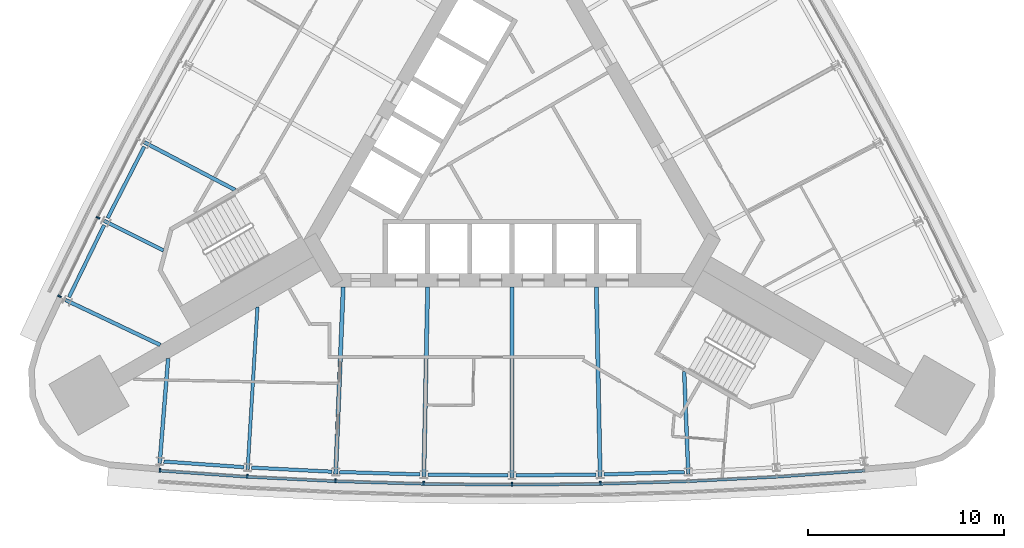
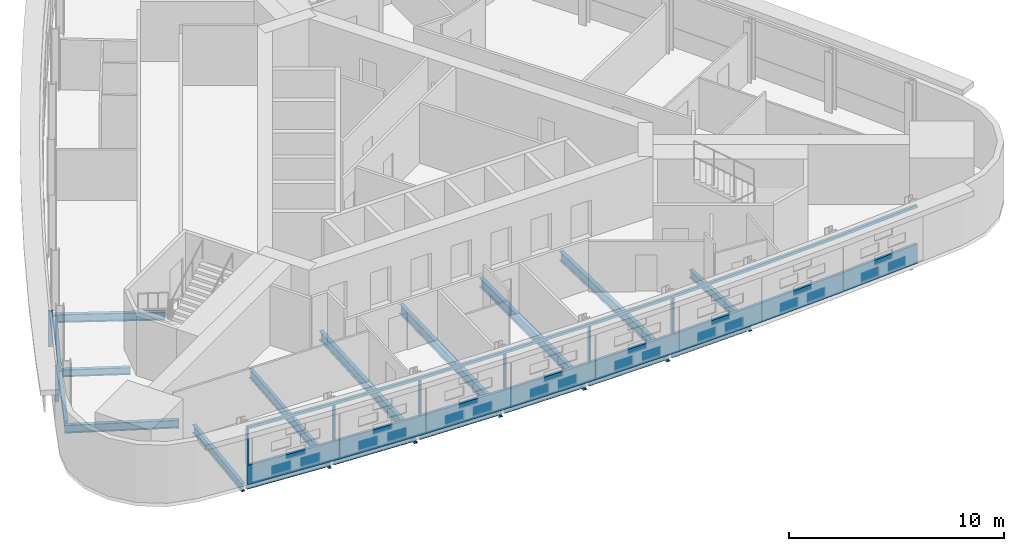
# One storey, part 2 of 11: 18 beams, 10 members, 2 elements without a shape of their own.
"""IFC4 building model written with IfcOpenShell, lengths in metres."""

from ifc_helpers import new_model, si_unit, direction, frame, origin, origin_2d, place, context, subcontext, project, spatial, polyline, rectangle, i_section, outline, extrude, material, material_profile, profile_set, type_object, element, aggregate, save


model = new_model("IFC4")

# Units and contexts
model_context = context("Model", 3, precision=1e-05, world=origin(), true_north=direction((0.0, 1.0)))
body_context = subcontext(model_context, "Body", "Model", "MODEL_VIEW")
ifc_project = project(units=[si_unit("LENGTHUNIT", "METRE"), si_unit("AREAUNIT", "SQUARE_METRE"), si_unit("VOLUMEUNIT", "CUBIC_METRE"), si_unit("PLANEANGLEUNIT", "RADIAN"), si_unit("MASSUNIT", "GRAM", prefix="KILO")], contexts=[model_context])

# Site, building, storey
site_placement = place(None, origin())
site = spatial("IfcSite", under=ifc_project, at=site_placement, CompositionType="ELEMENT")
building_placement = place(site_placement, origin())
building = spatial("IfcBuilding", under=site, at=building_placement, Name="Noor Cloister Tower", CompositionType="ELEMENT")
storey_placement = place(building_placement, frame((0.0, 0.0, 109.5)))
storey = spatial("IfcBuildingStorey", under=building, at=storey_placement, Name="L28", CompositionType="ELEMENT", Elevation=109.5)

# Curtain wall, member
ifc_material_1 = material(Name="Aluminium 6063-T6 anodised", Category="aluminium")
curtain_wall_type = type_object("IfcCurtainWallType", Name="Ribbon curtain wall, lower tower CW1", PredefinedType="NOTDEFINED", material=ifc_material_1)
curtain_wall_1_placement = place(storey_placement, origin())
curtain_wall_1 = element("IfcCurtainWall", 1, at=curtain_wall_1_placement, inside=storey, type_object=curtain_wall_type, Name="CW1 L28 S run 2", PredefinedType="NOTDEFINED")
ifc_material_2 = material(Name="Aluminium 6063-T6 anodised", Category="aluminium")
member_type_1 = type_object("IfcMemberType", Name="Head transom CW1 150", PredefinedType="USERDEFINED", material=ifc_material_2)
member_1_placement = place(storey_placement, frame((0.0, 0.0, 3.14990234375)))
member_1 = element("IfcMember", 2, at=member_1_placement, type_object=member_type_1, Name="CW1 head transom", ObjectType="TRANSOM", PredefinedType="USERDEFINED", context=body_context, shape_type="SweptSolid", body=[
    extrude(outline(polyline([(-17.980712890625, -16.35205078125), (-13.491943359375, -16.66796875), (-8.99755859375, -16.893798828125), (-4.499755859375, -17.029296875), (0.0, -17.074462890625), (4.499755859375, -17.029296875), (8.99755859375, -16.893798828125), (13.491943359375, -16.66796875), (17.980712890625, -16.35205078125), (17.970703125, -16.21240234375), (13.4833984375, -16.5283203125), (8.991943359375, -16.75390625), (4.496826171875, -16.889404296875), (0.0, -16.9345703125), (-4.496826171875, -16.889404296875), (-8.991943359375, -16.75390625), (-13.4833984375, -16.5283203125), (-17.970703125, -16.21240234375), (-17.980712890625, -16.35205078125)])), origin(), (0.0, 0.0, 1.0), 0.150146484375),
])

# Curtain wall, members
curtain_wall_2_placement = place(storey_placement, origin())
curtain_wall_2 = element("IfcCurtainWall", 3, at=curtain_wall_2_placement, inside=storey, type_object=curtain_wall_type, Name="CW1 L28 NW run 1", PredefinedType="NOTDEFINED")
ifc_material_3 = material(Name="Aluminium 6063-T6 anodised", Category="aluminium")
ifc_material_profile_1 = material_profile(ifc_material_3, rectangle(XDim=0.199951171875, YDim=0.080078125, at=origin_2d()), Name="200 x 80 mullion")
ifc_profile_set_1 = profile_set([ifc_material_profile_1], Name="Aluminium 6063-T6 anodised")
member_type_2 = type_object("IfcMemberType", Name="Mullion CW1 80 x 200", PredefinedType="MULLION", material=ifc_profile_set_1)
member_2_placement = place(storey_placement, frame((-21.09130859375, -3.39501953125, 1.10009765625), z_axis=(0.0, 0.0, 1.0), x_axis=(0.894554664218, -0.446958558176, 0.0)))
member_2 = element("IfcMember", 4, at=member_2_placement, type_object=member_type_2, Name="CW1 mullion 8", PredefinedType="MULLION", context=body_context, shape_type="SweptSolid", body=[
    extrude(rectangle(XDim=0.199951171875, YDim=0.080078125, at=origin_2d()), origin(), (0.0, 0.0, 1.0), 2.0498046875),
])
member_3_placement = place(storey_placement, frame((-23.044189453125, -7.403564453125, 1.10009765625), z_axis=(0.0, 0.0, 1.0), x_axis=(0.89899669454, -0.437955412348, 0.0)))
member_3 = element("IfcMember", 5, at=member_3_placement, type_object=member_type_2, Name="CW1 mullion 9", PredefinedType="MULLION", context=body_context, shape_type="SweptSolid", body=[
    extrude(rectangle(XDim=0.199951171875, YDim=0.080078125, at=origin_2d()), origin(), (0.0, 0.0, 1.0), 2.0498046875),
])
aggregate(curtain_wall_2, [member_2, member_3])

# Member
member_4_placement = place(storey_placement, frame((-17.933837890625, -16.255126953125, 1.10009765625), z_axis=(0.0, 0.0, 1.0), x_axis=(0.070217834452, 0.997531681565, 0.0)))
member_4 = element("IfcMember", 6, at=member_4_placement, type_object=member_type_2, Name="CW1 mullion 1", PredefinedType="MULLION", context=body_context, shape_type="SweptSolid", body=[
    extrude(rectangle(XDim=0.199951171875, YDim=0.080078125, at=origin_2d()), origin(), (0.0, 0.0, 1.0), 2.0498046875),
])

member_5_placement = place(storey_placement, frame((-13.48583984375, -16.568115234375, 1.10009765625), z_axis=(0.0, 0.0, 1.0), x_axis=(0.06019986629, 0.998186343374, 0.0)))
member_5 = element("IfcMember", 7, at=member_5_placement, type_object=member_type_2, Name="CW1 mullion 2", PredefinedType="MULLION", context=body_context, shape_type="SweptSolid", body=[
    extrude(rectangle(XDim=0.199951171875, YDim=0.080078125, at=origin_2d()), origin(), (0.0, 0.0, 1.0), 2.0498046875),
])

member_6_placement = place(storey_placement, frame((-8.99365234375, -16.7939453125, 1.10009765625), z_axis=(0.0, 0.0, 1.0), x_axis=(0.04014673795, 0.999193794733, 0.0)))
member_6 = element("IfcMember", 8, at=member_6_placement, type_object=member_type_2, Name="CW1 mullion 3", PredefinedType="MULLION", context=body_context, shape_type="SweptSolid", body=[
    extrude(rectangle(XDim=0.199951171875, YDim=0.080078125, at=origin_2d()), origin(), (0.0, 0.0, 1.0), 2.0498046875),
])

member_7_placement = place(storey_placement, frame((-4.497802734375, -16.929443359375, 1.10009765625), z_axis=(0.0, 0.0, 1.0), x_axis=(0.020077407288, 0.999798428543, 0.0)))
member_7 = element("IfcMember", 9, at=member_7_placement, type_object=member_type_2, Name="CW1 mullion 4", PredefinedType="MULLION", context=body_context, shape_type="SweptSolid", body=[
    extrude(rectangle(XDim=0.199951171875, YDim=0.080078125, at=origin_2d()), origin(), (0.0, 0.0, 1.0), 2.0498046875),
])

member_8_placement = place(storey_placement, frame((0.0, -16.974609375, 1.10009765625), z_axis=(0.0, 0.0, 1.0), x_axis=(0.0, 1.0, 0.0)))
member_8 = element("IfcMember", 10, at=member_8_placement, type_object=member_type_2, Name="CW1 mullion 5", PredefinedType="MULLION", context=body_context, shape_type="SweptSolid", body=[
    extrude(rectangle(XDim=0.199951171875, YDim=0.080078125, at=origin_2d()), origin(), (0.0, 0.0, 1.0), 2.0498046875),
])

member_9_placement = place(storey_placement, frame((4.497802734375, -16.929443359375, 1.10009765625), z_axis=(0.0, 0.0, 1.0), x_axis=(-0.020077407288, 0.999798428543, 0.0)))
member_9 = element("IfcMember", 11, at=member_9_placement, type_object=member_type_2, Name="CW1 mullion 6", PredefinedType="MULLION", context=body_context, shape_type="SweptSolid", body=[
    extrude(rectangle(XDim=0.199951171875, YDim=0.080078125, at=origin_2d()), origin(), (0.0, 0.0, 1.0), 2.0498046875),
])

# Beams
ifc_material_4 = material(Name="Steel ASTM A992 Gr 50", Category="steel")
ifc_material_profile_2 = material_profile(ifc_material_4, i_section(OverallWidth=0.177978515625, OverallDepth=0.406005859375, WebThickness=0.0078125, FlangeThickness=0.0126953125, FilletRadius=0.01025390625, at=origin_2d()), Name="W410x60")
ifc_profile_set_2 = profile_set([ifc_material_profile_2], Name="Steel ASTM A992 Gr 50")
beam_type_1 = type_object("IfcBeamType", Name="Radial beam W410x60", PredefinedType="BEAM", material=ifc_profile_set_2)
beam_1_placement = place(storey_placement, frame((-20.77880859375, -3.55126953125, -0.403076171875), z_axis=(0.894556914204, -0.446954054965, 0.0), x_axis=(0.446954054965, 0.894556914204, 0.0)))
element("IfcBeam", 12, at=beam_1_placement, inside=storey, type_object=beam_type_1, Name="Radial beam NW 08 L28", PredefinedType="BEAM", context=body_context, shape_type="SweptSolid", body=[
    extrude(i_section(OverallWidth=0.177978515625, OverallDepth=0.406005859375, WebThickness=0.0078125, FlangeThickness=0.0126953125, FilletRadius=0.01025390625, at=origin_2d()), origin(), (0.0, 0.0, 1.0), 3.38671875),
])
ifc_material_5 = material(Name="Steel ASTM A992 Gr 50", Category="steel")
ifc_material_profile_3 = material_profile(ifc_material_5, i_section(OverallWidth=0.19091796875, OverallDepth=0.45703125, WebThickness=0.009033203125, FlangeThickness=0.014404296875, FilletRadius=0.01025390625, at=origin_2d()), Name="W460x74")
ifc_profile_set_3 = profile_set([ifc_material_profile_3], Name="Steel ASTM A992 Gr 50")
beam_type_2 = type_object("IfcBeamType", Name="Radial beam W460x74", PredefinedType="BEAM", material=ifc_profile_set_3)
beam_2_placement = place(storey_placement, frame((-18.731201171875, 0.44580078125, -0.428466796875), z_axis=(0.885401268504, -0.464827488141, 0.0), x_axis=(0.464827488141, 0.885401268504, 0.0)))
element("IfcBeam", 13, at=beam_2_placement, inside=storey, type_object=beam_type_2, Name="Radial beam NW 07 L28", PredefinedType="BEAM", context=body_context, shape_type="SweptSolid", body=[
    extrude(i_section(OverallWidth=0.19091796875, OverallDepth=0.45703125, WebThickness=0.009033203125, FlangeThickness=0.014404296875, FilletRadius=0.01025390625, at=origin_2d()), origin(), (0.0, 0.0, 1.0), 5.224365234375),
])
for number, where, z_axis, x_axis, name in (
    (14, (-22.74560546875, -7.58837890625, -0.428466796875), (0.903337661444, -0.428930145148, 0.0), (0.428930145148, 0.903337661444, 0.0), "Radial beam NW 09 L28"),
    (15, (-17.944580078125, -15.904052734375, -0.428466796875), (0.080226140239, 0.996776688342, 0.0), (-0.996776688342, 0.080226140239, 0.0), "Radial beam S 01 L28"),
):
    element("IfcBeam", number, at=place(storey_placement, frame(where, z_axis=z_axis, x_axis=x_axis)), inside=storey, type_object=beam_type_2, Name=name, PredefinedType="BEAM", context=body_context, shape_type="SweptSolid", body=[
        extrude(i_section(OverallWidth=0.19091796875, OverallDepth=0.45703125, WebThickness=0.009033203125, FlangeThickness=0.014404296875, FilletRadius=0.01025390625, at=origin_2d()), origin(), (0.0, 0.0, 1.0), 5.346923828125),
    ])
beam_3_placement = place(storey_placement, frame((8.9794921875, -16.444580078125, -0.428466796875), z_axis=(-0.040141597936, 0.999194001241, 0.0), x_axis=(-0.999194001241, -0.040141597936, 0.0)))
element("IfcBeam", 16, at=beam_3_placement, inside=storey, type_object=beam_type_2, Name="Radial beam S 07 L28", PredefinedType="BEAM", context=body_context, shape_type="SweptSolid", body=[
    extrude(i_section(OverallWidth=0.19091796875, OverallDepth=0.45703125, WebThickness=0.009033203125, FlangeThickness=0.014404296875, FilletRadius=0.01025390625, at=origin_2d()), origin(), (0.0, 0.0, 1.0), 5.224365234375),
])
ifc_material_6 = material(Name="Steel ASTM A992 Gr 50", Category="steel")
ifc_material_profile_4 = material_profile(ifc_material_6, i_section(OverallWidth=0.166015625, OverallDepth=0.528076171875, WebThickness=0.009765625, FlangeThickness=0.013671875, FilletRadius=0.0126953125, at=origin_2d()), Name="W530x74")
ifc_profile_set_4 = profile_set([ifc_material_profile_4], Name="Steel ASTM A992 Gr 50")
beam_type_3 = type_object("IfcBeamType", Name="Radial beam W530x74", PredefinedType="BEAM", material=ifc_profile_set_4)
beam_4_placement = place(storey_placement, frame((-13.46484375, -16.21923828125, -0.464111328125), z_axis=(0.060221082351, 0.998185063623, 0.0), x_axis=(-0.998185063623, 0.060221082351, 0.0)))
element("IfcBeam", 17, at=beam_4_placement, inside=storey, type_object=beam_type_3, Name="Radial beam S 02 L28", PredefinedType="BEAM", context=body_context, shape_type="SweptSolid", body=[
    extrude(i_section(OverallWidth=0.166015625, OverallDepth=0.528076171875, WebThickness=0.009765625, FlangeThickness=0.013671875, FilletRadius=0.0126953125, at=origin_2d()), origin(), (0.0, 0.0, 1.0), 8.28662109375),
])
ifc_material_7 = material(Name="Steel ASTM A992 Gr 50", Category="steel")
ifc_material_profile_5 = material_profile(ifc_material_7, i_section(OverallWidth=0.208984375, OverallDepth=0.532958984375, WebThickness=0.01025390625, FlangeThickness=0.015625, FilletRadius=0.0126953125, at=origin_2d()), Name="W530x92")
ifc_profile_set_5 = profile_set([ifc_material_profile_5], Name="Steel ASTM A992 Gr 50")
beam_type_4 = type_object("IfcBeamType", Name="Radial beam W530x92", PredefinedType="BEAM", material=ifc_profile_set_5)
beam_5_placement = place(storey_placement, frame((-8.9794921875, -16.444580078125, -0.466552734375), z_axis=(0.040143095301, 0.999193941084, 0.0), x_axis=(-0.999193941084, 0.040143095301, 0.0)))
element("IfcBeam", 18, at=beam_5_placement, inside=storey, type_object=beam_type_4, Name="Radial beam S 03 L28", PredefinedType="BEAM", context=body_context, shape_type="SweptSolid", body=[
    extrude(i_section(OverallWidth=0.208984375, OverallDepth=0.532958984375, WebThickness=0.01025390625, FlangeThickness=0.015625, FilletRadius=0.0126953125, at=origin_2d()), origin(), (0.0, 0.0, 1.0), 9.52392578125),
])
beam_6_placement = place(storey_placement, frame((-4.49072265625, -16.579833984375, -0.466552734375), z_axis=(0.020080436697, 0.999798367703, 0.0), x_axis=(-0.999798367703, 0.020080436697, 0.0)))
element("IfcBeam", 19, at=beam_6_placement, inside=storey, type_object=beam_type_4, Name="Radial beam S 04 L28", PredefinedType="BEAM", context=body_context, shape_type="SweptSolid", body=[
    extrude(i_section(OverallWidth=0.208984375, OverallDepth=0.532958984375, WebThickness=0.01025390625, FlangeThickness=0.015625, FilletRadius=0.0126953125, at=origin_2d()), origin(), (0.0, 0.0, 1.0), 9.653564453125),
])
beam_7_placement = place(storey_placement, frame((0.0, -16.625, -0.466552734375), z_axis=(0.0, 1.0, 0.0), x_axis=(-1.0, 0.0, 0.0)))
element("IfcBeam", 20, at=beam_7_placement, inside=storey, type_object=beam_type_4, Name="Radial beam S 05 L28", PredefinedType="BEAM", context=body_context, shape_type="SweptSolid", body=[
    extrude(i_section(OverallWidth=0.208984375, OverallDepth=0.532958984375, WebThickness=0.01025390625, FlangeThickness=0.015625, FilletRadius=0.0126953125, at=origin_2d()), origin(), (0.0, 0.0, 1.0), 9.69677734375),
])
beam_8_placement = place(storey_placement, frame((4.49072265625, -16.579833984375, -0.466552734375), z_axis=(-0.020080436697, 0.999798367703, 0.0), x_axis=(-0.999798367703, -0.020080436697, 0.0)))
element("IfcBeam", 21, at=beam_8_placement, inside=storey, type_object=beam_type_4, Name="Radial beam S 06 L28", PredefinedType="BEAM", context=body_context, shape_type="SweptSolid", body=[
    extrude(i_section(OverallWidth=0.208984375, OverallDepth=0.532958984375, WebThickness=0.01025390625, FlangeThickness=0.015625, FilletRadius=0.0126953125, at=origin_2d()), origin(), (0.0, 0.0, 1.0), 9.653564453125),
])

# Member
ifc_material_8 = material(Name="Aluminium 6063-T6 anodised", Category="aluminium")
member_type_3 = type_object("IfcMemberType", Name="Sill transom CW1 1100", PredefinedType="USERDEFINED", material=ifc_material_8)
member_10_placement = place(storey_placement, origin())
member_10 = element("IfcMember", 22, at=member_10_placement, type_object=member_type_3, Name="CW1 sill transom", ObjectType="TRANSOM", PredefinedType="USERDEFINED", context=body_context, shape_type="SweptSolid", body=[
    extrude(outline(polyline([(-17.980712890625, -16.35205078125), (-13.491943359375, -16.66796875), (-8.99755859375, -16.893798828125), (-4.499755859375, -17.029296875), (0.0, -17.074462890625), (4.499755859375, -17.029296875), (8.99755859375, -16.893798828125), (13.491943359375, -16.66796875), (17.980712890625, -16.35205078125), (17.970703125, -16.21240234375), (13.4833984375, -16.5283203125), (8.991943359375, -16.75390625), (4.496826171875, -16.889404296875), (0.0, -16.9345703125), (-4.496826171875, -16.889404296875), (-8.991943359375, -16.75390625), (-13.4833984375, -16.5283203125), (-17.970703125, -16.21240234375), (-17.980712890625, -16.35205078125)])), origin(), (0.0, 0.0, 1.0), 1.10009765625),
])

aggregate(curtain_wall_1, [member_4, member_5, member_6, member_7, member_8, member_9, member_10, member_1])

# Beams
ifc_material_9 = material(Name="Steel ASTM A992 Gr 50", Category="steel")
ifc_material_profile_6 = material_profile(ifc_material_9, i_section(OverallWidth=0.177978515625, OverallDepth=0.406005859375, WebThickness=0.0078125, FlangeThickness=0.0126953125, FilletRadius=0.01025390625, at=origin_2d()), Name="W410x60")
ifc_profile_set_6 = profile_set([ifc_material_profile_6], Name="Steel ASTM A992 Gr 50")
beam_type_5 = type_object("IfcBeamType", Name="Spandrel beam W410x60", PredefinedType="SPANDREL", material=ifc_profile_set_6)
for number, where, z_axis, x_axis, name in (
    (23, (-18.733642578125, 0.220703125, -0.403076171875), (-0.455911640241, -0.890025042509, 0.0), (0.890025042509, -0.455911640241, 0.0), "Spandrel beam NW 07 L28"),
    (24, (-20.776611328125, -3.7763671875, -0.403076171875), (-0.437944670986, -0.899001927226, 0.0), (0.899001927226, -0.437944670986, 0.0), "Spandrel beam NW 08 L28"),
    (25, (-17.736572265625, -15.81787109375, -0.403076171875), (0.997530638237, -0.070232654647, 0.0), (0.070232654647, 0.997530638237, 0.0), "Spandrel beam S 01 L28"),
    (26, (-13.258544921875, -16.129150390625, -0.403076171875), (0.998740844614, -0.050166974196, 0.0), (0.050166974196, 0.998740844614, 0.0), "Spandrel beam S 02 L28"),
):
    element("IfcBeam", number, at=place(storey_placement, frame(where, z_axis=z_axis, x_axis=x_axis)), inside=storey, type_object=beam_type_5, Name=name, PredefinedType="SPANDREL", context=body_context, shape_type="SweptSolid", body=[
        extrude(i_section(OverallWidth=0.177978515625, OverallDepth=0.406005859375, WebThickness=0.0078125, FlangeThickness=0.0126953125, FilletRadius=0.01025390625, at=origin_2d()), origin(), (0.0, 0.0, 1.0), 4.087890625),
    ])
beam_9_placement = place(storey_placement, frame((-8.775146484375, -16.350341796875, -0.403076171875), z_axis=(0.999546914037, -0.03009927972, 0.0), x_axis=(0.03009927972, 0.999546914037, 0.0)))
element("IfcBeam", 27, at=beam_9_placement, inside=storey, type_object=beam_type_5, Name="Spandrel beam S 03 L28", PredefinedType="SPANDREL", context=body_context, shape_type="SweptSolid", body=[
    extrude(i_section(OverallWidth=0.177978515625, OverallDepth=0.406005859375, WebThickness=0.0078125, FlangeThickness=0.0126953125, FilletRadius=0.01025390625, at=origin_2d()), origin(), (0.0, 0.0, 1.0), 4.088134765625),
])
for number, where, z_axis, x_axis, name in (
    (28, (-4.2880859375, -16.4814453125, -0.403076171875), (0.999949662781, -0.010033538992, 0.0), (0.010033538992, 0.999949662781, 0.0), "Spandrel beam S 04 L28"),
    (29, (0.200439453125, -16.5224609375, -0.403076171875), (0.999949662781, 0.010033538992, 0.0), (-0.010033538992, 0.999949662781, 0.0), "Spandrel beam S 05 L28"),
):
    element("IfcBeam", number, at=place(storey_placement, frame(where, z_axis=z_axis, x_axis=x_axis)), inside=storey, type_object=beam_type_5, Name=name, PredefinedType="SPANDREL", context=body_context, shape_type="SweptSolid", body=[
        extrude(i_section(OverallWidth=0.177978515625, OverallDepth=0.406005859375, WebThickness=0.0078125, FlangeThickness=0.0126953125, FilletRadius=0.01025390625, at=origin_2d()), origin(), (0.0, 0.0, 1.0), 4.087890625),
    ])
beam_10_placement = place(storey_placement, frame((4.68896484375, -16.473388671875, -0.403076171875), z_axis=(0.999546914037, 0.03009927972, 0.0), x_axis=(-0.03009927972, 0.999546914037, 0.0)))
element("IfcBeam", 30, at=beam_10_placement, inside=storey, type_object=beam_type_5, Name="Spandrel beam S 06 L28", PredefinedType="SPANDREL", context=body_context, shape_type="SweptSolid", body=[
    extrude(i_section(OverallWidth=0.177978515625, OverallDepth=0.406005859375, WebThickness=0.0078125, FlangeThickness=0.0126953125, FilletRadius=0.01025390625, at=origin_2d()), origin(), (0.0, 0.0, 1.0), 4.088134765625),
])

save(model, "model.ifc")
